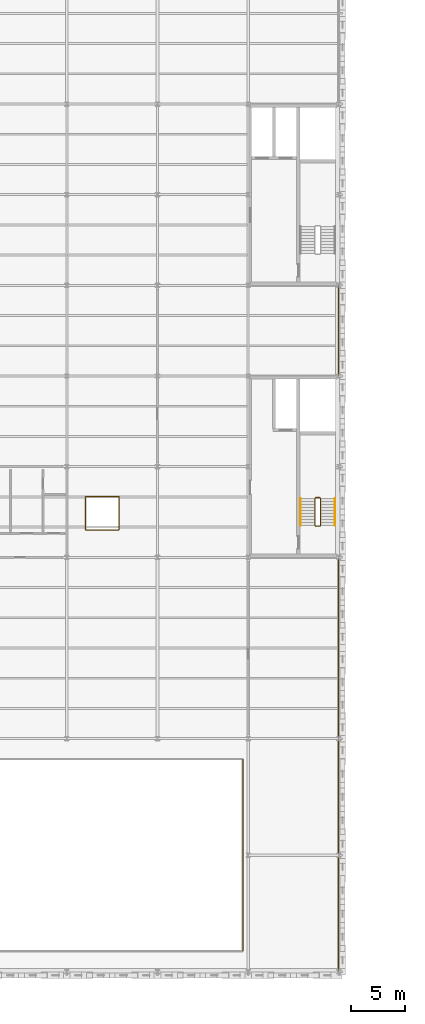
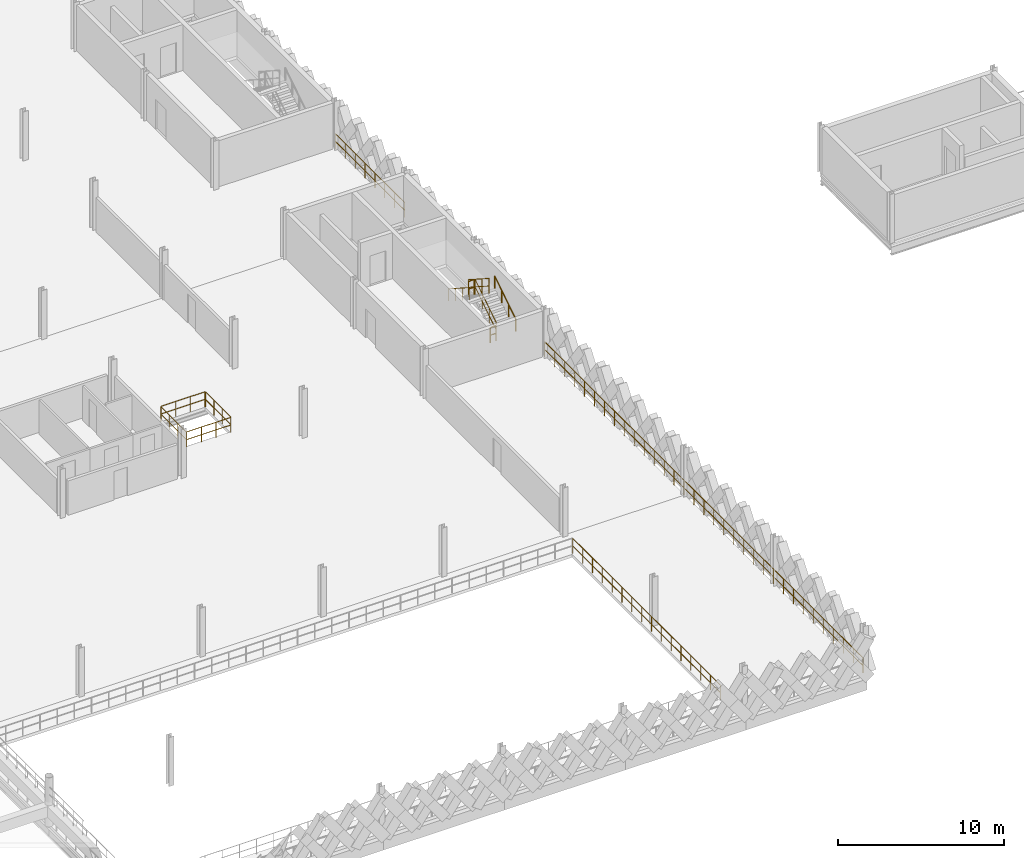
# One storey, part 67 of 74: 13 railings.
"""IFC4 building model written with IfcOpenShell, lengths in metres."""

from ifc_helpers import new_model, si_unit, direction, frame, origin, origin_2d, place, context, subcontext, project, spatial, circle, extrude, material, type_object, element, save


model = new_model("IFC4")

# Units and contexts
model_context = context("Model", 3, precision=1e-05, world=origin(), true_north=direction((0.0, 1.0)))
body_context = subcontext(model_context, "Body", "Model", "MODEL_VIEW")
ifc_project = project(units=[si_unit("LENGTHUNIT", "METRE"), si_unit("AREAUNIT", "SQUARE_METRE"), si_unit("VOLUMEUNIT", "CUBIC_METRE"), si_unit("PLANEANGLEUNIT", "RADIAN"), si_unit("MASSUNIT", "GRAM", prefix="KILO"), si_unit("THERMODYNAMICTEMPERATUREUNIT", "KELVIN"), si_unit("POWERUNIT", "WATT")], contexts=[model_context])

# Site, building, storey
site_placement = place(None, origin())
site = spatial("IfcSite", under=ifc_project, at=site_placement, CompositionType="ELEMENT")
building_placement = place(site_placement, origin())
building = spatial("IfcBuilding", under=site, at=building_placement, Name="Tembeka Court Mobility Hub", CompositionType="ELEMENT")
storey_placement = place(building_placement, frame((0.0, 0.0, 12.60009765625)))
storey = spatial("IfcBuildingStorey", under=building, at=storey_placement, Name="L03", CompositionType="ELEMENT", Elevation=12.60009765625)

# Railings
ifc_material_1 = material(Name="Painted galvanised steel balustrade", Category="steel")
railing_type_1 = type_object("IfcRailingType", Name="RL-GR01", PredefinedType="GUARDRAIL", material=ifc_material_1)
railing_1_placement = place(storey_placement, frame((68.97998046875, 40.949951171875, 0.0)))
element("IfcRailing", 1, at=railing_1_placement, inside=storey, type_object=railing_type_1, Name="Perimeter guard GR01-0107", PredefinedType="GUARDRAIL", context=body_context, shape_type="SweptSolid", body=[
    extrude(circle(Radius=0.02392578125, at=origin_2d()), frame((0.0, 0.0, 1.09619140625), z_axis=(1.0, 0.0, 0.0), x_axis=(0.0, 1.0, 0.0)), (0.0, 0.0, 1.0), 3.0400390625),
    extrude(circle(Radius=0.02392578125, at=origin_2d()), frame((0.0, 0.0, 0.5361328125), z_axis=(1.0, 0.0, 0.0), x_axis=(0.0, 1.0, 0.0)), (0.0, 0.0, 1.0), 3.0400390625),
    extrude(circle(Radius=0.02099609375, at=origin_2d()), origin(), (0.0, 0.0, 1.0), 1.072021484375),
    extrude(circle(Radius=0.02099609375, at=origin_2d()), frame((1.013427734375, 0.0, 0.0)), (0.0, 0.0, 1.0), 1.072021484375),
    extrude(circle(Radius=0.02099609375, at=origin_2d()), frame((2.026611328125, 0.0, 0.0)), (0.0, 0.0, 1.0), 1.072021484375),
    extrude(circle(Radius=0.02099609375, at=origin_2d()), frame((3.0400390625, 0.0, 0.0)), (0.0, 0.0, 1.0), 1.072021484375),
])
railing_2_placement = place(storey_placement, frame((72.050048828125, 40.97998046875, 0.0)))
element("IfcRailing", 2, at=railing_2_placement, inside=storey, type_object=railing_type_1, Name="Perimeter guard GR01-0108", PredefinedType="GUARDRAIL", context=body_context, shape_type="SweptSolid", body=[
    extrude(circle(Radius=0.02392578125, at=origin_2d()), frame((0.0, 0.0, 1.09619140625), z_axis=(0.0, 1.0, 0.0), x_axis=(-1.0, 0.0, 0.0)), (0.0, 0.0, 1.0), 3.0400390625),
    extrude(circle(Radius=0.02392578125, at=origin_2d()), frame((0.0, 0.0, 0.5361328125), z_axis=(0.0, 1.0, 0.0), x_axis=(-1.0, 0.0, 0.0)), (0.0, 0.0, 1.0), 3.0400390625),
    extrude(circle(Radius=0.02099609375, at=origin_2d()), origin(), (0.0, 0.0, 1.0), 1.072021484375),
    extrude(circle(Radius=0.02099609375, at=origin_2d()), frame((0.0, 1.013427734375, 0.0)), (0.0, 0.0, 1.0), 1.072021484375),
    extrude(circle(Radius=0.02099609375, at=origin_2d()), frame((0.0, 2.026611328125, 0.0)), (0.0, 0.0, 1.0), 1.072021484375),
    extrude(circle(Radius=0.02099609375, at=origin_2d()), frame((0.0, 3.0400390625, 0.0)), (0.0, 0.0, 1.0), 1.072021484375),
])
railing_3_placement = place(storey_placement, frame((72.02001953125, 44.050048828125, 0.0)))
element("IfcRailing", 3, at=railing_3_placement, inside=storey, type_object=railing_type_1, Name="Perimeter guard GR01-0109", PredefinedType="GUARDRAIL", context=body_context, shape_type="SweptSolid", body=[
    extrude(circle(Radius=0.02392578125, at=origin_2d()), frame((0.0, 0.0, 1.09619140625), z_axis=(-1.0, 0.0, 0.0), x_axis=(0.0, -1.0, 0.0)), (0.0, 0.0, 1.0), 3.0400390625),
    extrude(circle(Radius=0.02392578125, at=origin_2d()), frame((0.0, 0.0, 0.5361328125), z_axis=(-1.0, 0.0, 0.0), x_axis=(0.0, -1.0, 0.0)), (0.0, 0.0, 1.0), 3.0400390625),
    extrude(circle(Radius=0.02099609375, at=origin_2d()), origin(), (0.0, 0.0, 1.0), 1.072021484375),
    extrude(circle(Radius=0.02099609375, at=origin_2d()), frame((-1.013427734375, 0.0, 0.0)), (0.0, 0.0, 1.0), 1.072021484375),
    extrude(circle(Radius=0.02099609375, at=origin_2d()), frame((-2.026611328125, 0.0, 0.0)), (0.0, 0.0, 1.0), 1.072021484375),
    extrude(circle(Radius=0.02099609375, at=origin_2d()), frame((-3.0400390625, 0.0, 0.0)), (0.0, 0.0, 1.0), 1.072021484375),
])
railing_4_placement = place(storey_placement, frame((68.949951171875, 44.02001953125, 0.0)))
element("IfcRailing", 4, at=railing_4_placement, inside=storey, type_object=railing_type_1, Name="Perimeter guard GR01-0110", PredefinedType="GUARDRAIL", context=body_context, shape_type="SweptSolid", body=[
    extrude(circle(Radius=0.02392578125, at=origin_2d()), frame((0.0, 0.0, 1.09619140625), z_axis=(0.0, -1.0, 0.0), x_axis=(1.0, 0.0, 0.0)), (0.0, 0.0, 1.0), 3.0400390625),
    extrude(circle(Radius=0.02392578125, at=origin_2d()), frame((0.0, 0.0, 0.5361328125), z_axis=(0.0, -1.0, 0.0), x_axis=(1.0, 0.0, 0.0)), (0.0, 0.0, 1.0), 3.0400390625),
    extrude(circle(Radius=0.02099609375, at=origin_2d()), origin(), (0.0, 0.0, 1.0), 1.072021484375),
    extrude(circle(Radius=0.02099609375, at=origin_2d()), frame((0.0, -1.013427734375, 0.0)), (0.0, 0.0, 1.0), 1.072021484375),
    extrude(circle(Radius=0.02099609375, at=origin_2d()), frame((0.0, -2.026611328125, 0.0)), (0.0, 0.0, 1.0), 1.072021484375),
    extrude(circle(Radius=0.02099609375, at=origin_2d()), frame((0.0, -3.0400390625, 0.0)), (0.0, 0.0, 1.0), 1.072021484375),
])
railing_5_placement = place(storey_placement, frame((83.5, 1.929931640625, 0.0)))
element("IfcRailing", 5, at=railing_5_placement, inside=storey, type_object=railing_type_1, Name="Perimeter guard GR01-0112", PredefinedType="GUARDRAIL", context=body_context, shape_type="SweptSolid", body=[
    extrude(circle(Radius=0.02392578125, at=origin_2d()), frame((0.0, 0.0, 1.09619140625), z_axis=(0.0, 1.0, 0.0), x_axis=(-1.0, 0.0, 0.0)), (0.0, 0.0, 1.0), 17.739990234375),
    extrude(circle(Radius=0.02392578125, at=origin_2d()), frame((0.0, 0.0, 0.5361328125), z_axis=(0.0, 1.0, 0.0), x_axis=(-1.0, 0.0, 0.0)), (0.0, 0.0, 1.0), 17.739990234375),
    extrude(circle(Radius=0.02099609375, at=origin_2d()), origin(), (0.0, 0.0, 1.0), 1.072021484375),
    extrude(circle(Radius=0.02099609375, at=origin_2d()), frame((0.0, 1.1826171875, 0.0)), (0.0, 0.0, 1.0), 1.072021484375),
    extrude(circle(Radius=0.02099609375, at=origin_2d()), frame((0.0, 2.365234375, 0.0)), (0.0, 0.0, 1.0), 1.072021484375),
    extrude(circle(Radius=0.02099609375, at=origin_2d()), frame((0.0, 3.548095703125, 0.0)), (0.0, 0.0, 1.0), 1.072021484375),
    extrude(circle(Radius=0.02099609375, at=origin_2d()), frame((0.0, 4.730712890625, 0.0)), (0.0, 0.0, 1.0), 1.072021484375),
    extrude(circle(Radius=0.02099609375, at=origin_2d()), frame((0.0, 5.913330078125, 0.0)), (0.0, 0.0, 1.0), 1.072021484375),
    extrude(circle(Radius=0.02099609375, at=origin_2d()), frame((0.0, 7.095947265625, 0.0)), (0.0, 0.0, 1.0), 1.072021484375),
    extrude(circle(Radius=0.02099609375, at=origin_2d()), frame((0.0, 8.278564453125, 0.0)), (0.0, 0.0, 1.0), 1.072021484375),
    extrude(circle(Radius=0.02099609375, at=origin_2d()), frame((0.0, 9.46142578125, 0.0)), (0.0, 0.0, 1.0), 1.072021484375),
    extrude(circle(Radius=0.02099609375, at=origin_2d()), frame((0.0, 10.64404296875, 0.0)), (0.0, 0.0, 1.0), 1.072021484375),
    extrude(circle(Radius=0.02099609375, at=origin_2d()), frame((0.0, 11.82666015625, 0.0)), (0.0, 0.0, 1.0), 1.072021484375),
    extrude(circle(Radius=0.02099609375, at=origin_2d()), frame((0.0, 13.00927734375, 0.0)), (0.0, 0.0, 1.0), 1.072021484375),
    extrude(circle(Radius=0.02099609375, at=origin_2d()), frame((0.0, 14.19189453125, 0.0)), (0.0, 0.0, 1.0), 1.072021484375),
    extrude(circle(Radius=0.02099609375, at=origin_2d()), frame((0.0, 15.374755859375, 0.0)), (0.0, 0.0, 1.0), 1.072021484375),
    extrude(circle(Radius=0.02099609375, at=origin_2d()), frame((0.0, 16.557373046875, 0.0)), (0.0, 0.0, 1.0), 1.072021484375),
    extrude(circle(Radius=0.02099609375, at=origin_2d()), frame((0.0, 17.739990234375, 0.0)), (0.0, 0.0, 1.0), 1.072021484375),
])
railing_6_placement = place(storey_placement, frame((90.699951171875, 41.35009765625, 0.179931640625)))
element("IfcRailing", 6, at=railing_6_placement, inside=storey, type_object=railing_type_1, Name="L03 ST04 stair guard 1-1", PredefinedType="GUARDRAIL", context=body_context, shape_type="SweptSolid", body=[
    extrude(circle(Radius=0.02392578125, at=origin_2d()), frame((0.0, 0.0, 1.09619140625), z_axis=(0.0, 0.841199657755, 0.540724639528), x_axis=(-1.0, 0.0, 0.0)), (0.0, 0.0, 1.0), 2.995849609375),
    extrude(circle(Radius=0.02392578125, at=origin_2d()), frame((0.0, 0.0, 0.5361328125), z_axis=(0.0, 0.841199657755, 0.540724639528), x_axis=(-1.0, 0.0, 0.0)), (0.0, 0.0, 1.0), 2.995849609375),
    extrude(circle(Radius=0.02099609375, at=origin_2d()), origin(), (0.0, 0.0, 1.0), 1.072021484375),
    extrude(circle(Radius=0.02099609375, at=origin_2d()), frame((0.0, 0.840087890625, 0.5400390625)), (0.0, 0.0, 1.0), 1.072021484375),
    extrude(circle(Radius=0.02099609375, at=origin_2d()), frame((0.0, 1.679931640625, 1.079833984375)), (0.0, 0.0, 1.0), 1.072021484375),
    extrude(circle(Radius=0.02099609375, at=origin_2d()), frame((0.0, 2.52001953125, 1.619873046875)), (0.0, 0.0, 1.0), 1.072021484375),
])
railing_7_placement = place(storey_placement, frame((90.64990234375, 43.919921875, 1.7998046875)))
element("IfcRailing", 7, at=railing_7_placement, inside=storey, type_object=railing_type_1, Name="L03 ST04 stair guard 2-1", PredefinedType="GUARDRAIL", context=body_context, shape_type="SweptSolid", body=[
    extrude(circle(Radius=0.02392578125, at=origin_2d()), frame((0.0, 0.0, 1.09619140625), z_axis=(-1.0, 0.0, 0.0), x_axis=(0.0, -1.0, 0.0)), (0.0, 0.0, 1.0), 0.39990234375),
    extrude(circle(Radius=0.02392578125, at=origin_2d()), frame((0.0, 0.0, 0.5361328125), z_axis=(-1.0, 0.0, 0.0), x_axis=(0.0, -1.0, 0.0)), (0.0, 0.0, 1.0), 0.39990234375),
    extrude(circle(Radius=0.02099609375, at=origin_2d()), origin(), (0.0, 0.0, 1.0), 1.072021484375),
    extrude(circle(Radius=0.02099609375, at=origin_2d()), frame((-0.39990234375, 0.0, 0.0)), (0.0, 0.0, 1.0), 1.072021484375),
])
railing_8_placement = place(storey_placement, frame((90.199951171875, 43.8701171875, 1.97998046875)))
element("IfcRailing", 8, at=railing_8_placement, inside=storey, type_object=railing_type_1, Name="L03 ST04 stair guard 3-1", PredefinedType="GUARDRAIL", context=body_context, shape_type="SweptSolid", body=[
    extrude(circle(Radius=0.02392578125, at=origin_2d()), frame((0.0, 0.0, 1.09619140625), z_axis=(0.0, -0.841199657755, 0.540724639528), x_axis=(1.0, 0.0, 0.0)), (0.0, 0.0, 1.0), 2.995849609375),
    extrude(circle(Radius=0.02392578125, at=origin_2d()), frame((0.0, 0.0, 0.5361328125), z_axis=(0.0, -0.841199657755, 0.540724639528), x_axis=(1.0, 0.0, 0.0)), (0.0, 0.0, 1.0), 2.995849609375),
    extrude(circle(Radius=0.02099609375, at=origin_2d()), origin(), (0.0, 0.0, 1.0), 1.072021484375),
    extrude(circle(Radius=0.02099609375, at=origin_2d()), frame((0.0, -0.840087890625, 0.5400390625)), (0.0, 0.0, 1.0), 1.072021484375),
    extrude(circle(Radius=0.02099609375, at=origin_2d()), frame((0.0, -1.679931640625, 1.079833984375)), (0.0, 0.0, 1.0), 1.072021484375),
    extrude(circle(Radius=0.02099609375, at=origin_2d()), frame((0.0, -2.52001953125, 1.619873046875)), (0.0, 0.0, 1.0), 1.072021484375),
])
railing_9_placement = place(storey_placement, frame((90.64990234375, 41.300048828125, 0.0)))
element("IfcRailing", 9, at=railing_9_placement, inside=storey, type_object=railing_type_1, Name="L03 ST04 stair guard 4-1", PredefinedType="GUARDRAIL", context=body_context, shape_type="SweptSolid", body=[
    extrude(circle(Radius=0.02392578125, at=origin_2d()), frame((0.0, 0.0, 1.09619140625), z_axis=(-1.0, 0.0, 0.0), x_axis=(0.0, -1.0, 0.0)), (0.0, 0.0, 1.0), 0.39990234375),
    extrude(circle(Radius=0.02392578125, at=origin_2d()), frame((0.0, 0.0, 0.5361328125), z_axis=(-1.0, 0.0, 0.0), x_axis=(0.0, -1.0, 0.0)), (0.0, 0.0, 1.0), 0.39990234375),
    extrude(circle(Radius=0.02099609375, at=origin_2d()), origin(), (0.0, 0.0, 1.0), 1.072021484375),
    extrude(circle(Radius=0.02099609375, at=origin_2d()), frame((-0.39990234375, 0.0, 0.0)), (0.0, 0.0, 1.0), 1.072021484375),
])
railing_type_2 = type_object("IfcRailingType", Name="RL-GR02", PredefinedType="GUARDRAIL", material=ifc_material_1)
railing_10_placement = place(storey_placement, frame((92.35009765625, 0.080078125, 0.0)))
element("IfcRailing", 10, at=railing_10_placement, inside=storey, type_object=railing_type_2, Name="Perimeter guard GR02-0124", PredefinedType="GUARDRAIL", context=body_context, shape_type="SweptSolid", body=[
    extrude(circle(Radius=0.02392578125, at=origin_2d()), frame((0.0, 0.0, 1.09619140625), z_axis=(0.0, 1.0, 0.0), x_axis=(-1.0, 0.0, 0.0)), (0.0, 0.0, 1.0), 38.2900390625),
    extrude(circle(Radius=0.02392578125, at=origin_2d()), frame((0.0, 0.0, 0.5361328125), z_axis=(0.0, 1.0, 0.0), x_axis=(-1.0, 0.0, 0.0)), (0.0, 0.0, 1.0), 38.2900390625),
    extrude(circle(Radius=0.02099609375, at=origin_2d()), origin(), (0.0, 0.0, 1.0), 1.072021484375),
    extrude(circle(Radius=0.02099609375, at=origin_2d()), frame((0.0, 1.196533203125, 0.0)), (0.0, 0.0, 1.0), 1.072021484375),
    extrude(circle(Radius=0.02099609375, at=origin_2d()), frame((0.0, 2.39306640625, 0.0)), (0.0, 0.0, 1.0), 1.072021484375),
    extrude(circle(Radius=0.02099609375, at=origin_2d()), frame((0.0, 3.589599609375, 0.0)), (0.0, 0.0, 1.0), 1.072021484375),
    extrude(circle(Radius=0.02099609375, at=origin_2d()), frame((0.0, 4.7861328125, 0.0)), (0.0, 0.0, 1.0), 1.072021484375),
    extrude(circle(Radius=0.02099609375, at=origin_2d()), frame((0.0, 5.98291015625, 0.0)), (0.0, 0.0, 1.0), 1.072021484375),
    extrude(circle(Radius=0.02099609375, at=origin_2d()), frame((0.0, 7.179443359375, 0.0)), (0.0, 0.0, 1.0), 1.072021484375),
    extrude(circle(Radius=0.02099609375, at=origin_2d()), frame((0.0, 8.3759765625, 0.0)), (0.0, 0.0, 1.0), 1.072021484375),
    extrude(circle(Radius=0.02099609375, at=origin_2d()), frame((0.0, 9.572509765625, 0.0)), (0.0, 0.0, 1.0), 1.072021484375),
    extrude(circle(Radius=0.02099609375, at=origin_2d()), frame((0.0, 10.76904296875, 0.0)), (0.0, 0.0, 1.0), 1.072021484375),
    extrude(circle(Radius=0.02099609375, at=origin_2d()), frame((0.0, 11.965576171875, 0.0)), (0.0, 0.0, 1.0), 1.072021484375),
    extrude(circle(Radius=0.02099609375, at=origin_2d()), frame((0.0, 13.162109375, 0.0)), (0.0, 0.0, 1.0), 1.072021484375),
    extrude(circle(Radius=0.02099609375, at=origin_2d()), frame((0.0, 14.35888671875, 0.0)), (0.0, 0.0, 1.0), 1.072021484375),
    extrude(circle(Radius=0.02099609375, at=origin_2d()), frame((0.0, 15.555419921875, 0.0)), (0.0, 0.0, 1.0), 1.072021484375),
    extrude(circle(Radius=0.02099609375, at=origin_2d()), frame((0.0, 16.751953125, 0.0)), (0.0, 0.0, 1.0), 1.072021484375),
    extrude(circle(Radius=0.02099609375, at=origin_2d()), frame((0.0, 17.948486328125, 0.0)), (0.0, 0.0, 1.0), 1.072021484375),
    extrude(circle(Radius=0.02099609375, at=origin_2d()), frame((0.0, 19.14501953125, 0.0)), (0.0, 0.0, 1.0), 1.072021484375),
    extrude(circle(Radius=0.02099609375, at=origin_2d()), frame((0.0, 20.341552734375, 0.0)), (0.0, 0.0, 1.0), 1.072021484375),
    extrude(circle(Radius=0.02099609375, at=origin_2d()), frame((0.0, 21.5380859375, 0.0)), (0.0, 0.0, 1.0), 1.072021484375),
    extrude(circle(Radius=0.02099609375, at=origin_2d()), frame((0.0, 22.734619140625, 0.0)), (0.0, 0.0, 1.0), 1.072021484375),
    extrude(circle(Radius=0.02099609375, at=origin_2d()), frame((0.0, 23.93115234375, 0.0)), (0.0, 0.0, 1.0), 1.072021484375),
    extrude(circle(Radius=0.02099609375, at=origin_2d()), frame((0.0, 25.1279296875, 0.0)), (0.0, 0.0, 1.0), 1.072021484375),
    extrude(circle(Radius=0.02099609375, at=origin_2d()), frame((0.0, 26.324462890625, 0.0)), (0.0, 0.0, 1.0), 1.072021484375),
    extrude(circle(Radius=0.02099609375, at=origin_2d()), frame((0.0, 27.52099609375, 0.0)), (0.0, 0.0, 1.0), 1.072021484375),
    extrude(circle(Radius=0.02099609375, at=origin_2d()), frame((0.0, 28.717529296875, 0.0)), (0.0, 0.0, 1.0), 1.072021484375),
    extrude(circle(Radius=0.02099609375, at=origin_2d()), frame((0.0, 29.9140625, 0.0)), (0.0, 0.0, 1.0), 1.072021484375),
    extrude(circle(Radius=0.02099609375, at=origin_2d()), frame((0.0, 31.110595703125, 0.0)), (0.0, 0.0, 1.0), 1.072021484375),
    extrude(circle(Radius=0.02099609375, at=origin_2d()), frame((0.0, 32.30712890625, 0.0)), (0.0, 0.0, 1.0), 1.072021484375),
    extrude(circle(Radius=0.02099609375, at=origin_2d()), frame((0.0, 33.50390625, 0.0)), (0.0, 0.0, 1.0), 1.072021484375),
    extrude(circle(Radius=0.02099609375, at=origin_2d()), frame((0.0, 34.700439453125, 0.0)), (0.0, 0.0, 1.0), 1.072021484375),
    extrude(circle(Radius=0.02099609375, at=origin_2d()), frame((0.0, 35.89697265625, 0.0)), (0.0, 0.0, 1.0), 1.072021484375),
    extrude(circle(Radius=0.02099609375, at=origin_2d()), frame((0.0, 37.093505859375, 0.0)), (0.0, 0.0, 1.0), 1.072021484375),
    extrude(circle(Radius=0.02099609375, at=origin_2d()), frame((0.0, 38.2900390625, 0.0)), (0.0, 0.0, 1.0), 1.072021484375),
])
railing_11_placement = place(storey_placement, frame((92.35009765625, 55.22998046875, 0.0)))
element("IfcRailing", 11, at=railing_11_placement, inside=storey, type_object=railing_type_2, Name="Perimeter guard GR02-0125", PredefinedType="GUARDRAIL", context=body_context, shape_type="SweptSolid", body=[
    extrude(circle(Radius=0.02392578125, at=origin_2d()), frame((0.0, 0.0, 1.09619140625), z_axis=(0.0, 1.0, 0.0), x_axis=(-1.0, 0.0, 0.0)), (0.0, 0.0, 1.0), 8.340087890625),
    extrude(circle(Radius=0.02392578125, at=origin_2d()), frame((0.0, 0.0, 0.5361328125), z_axis=(0.0, 1.0, 0.0), x_axis=(-1.0, 0.0, 0.0)), (0.0, 0.0, 1.0), 8.340087890625),
    extrude(circle(Radius=0.02099609375, at=origin_2d()), origin(), (0.0, 0.0, 1.0), 1.072021484375),
    extrude(circle(Radius=0.02099609375, at=origin_2d()), frame((0.0, 1.19140625, 0.0)), (0.0, 0.0, 1.0), 1.072021484375),
    extrude(circle(Radius=0.02099609375, at=origin_2d()), frame((0.0, 2.3828125, 0.0)), (0.0, 0.0, 1.0), 1.072021484375),
    extrude(circle(Radius=0.02099609375, at=origin_2d()), frame((0.0, 3.57421875, 0.0)), (0.0, 0.0, 1.0), 1.072021484375),
    extrude(circle(Radius=0.02099609375, at=origin_2d()), frame((0.0, 4.765869140625, 0.0)), (0.0, 0.0, 1.0), 1.072021484375),
    extrude(circle(Radius=0.02099609375, at=origin_2d()), frame((0.0, 5.957275390625, 0.0)), (0.0, 0.0, 1.0), 1.072021484375),
    extrude(circle(Radius=0.02099609375, at=origin_2d()), frame((0.0, 7.148681640625, 0.0)), (0.0, 0.0, 1.0), 1.072021484375),
    extrude(circle(Radius=0.02099609375, at=origin_2d()), frame((0.0, 8.340087890625, 0.0)), (0.0, 0.0, 1.0), 1.072021484375),
])
ifc_material_2 = material(Name="Brushed stainless steel handrail", Category="steel")
railing_type_3 = type_object("IfcRailingType", Name="RL-HR01", PredefinedType="HANDRAIL", material=ifc_material_2)
railing_12_placement = place(storey_placement, frame((92.050048828125, 41.35009765625, 0.179931640625)))
element("IfcRailing", 12, at=railing_12_placement, inside=storey, type_object=railing_type_3, Name="L03 ST04 handrail 1-1", PredefinedType="HANDRAIL", context=body_context, shape_type="SweptSolid", body=[
    extrude(circle(Radius=0.02392578125, at=origin_2d()), frame((0.0, 0.0, 0.89599609375), z_axis=(0.0, 0.841199657755, 0.540724639528), x_axis=(-1.0, 0.0, 0.0)), (0.0, 0.0, 1.0), 2.995849609375),
    extrude(circle(Radius=0.02099609375, at=origin_2d()), origin(), (0.0, 0.0, 1.0), 0.871826171875),
    extrude(circle(Radius=0.02099609375, at=origin_2d()), frame((0.0, 0.840087890625, 0.5400390625)), (0.0, 0.0, 1.0), 0.871826171875),
    extrude(circle(Radius=0.02099609375, at=origin_2d()), frame((0.0, 1.679931640625, 1.079833984375)), (0.0, 0.0, 1.0), 0.871826171875),
    extrude(circle(Radius=0.02099609375, at=origin_2d()), frame((0.0, 2.52001953125, 1.619873046875)), (0.0, 0.0, 1.0), 0.871826171875),
])
railing_13_placement = place(storey_placement, frame((88.85009765625, 43.8701171875, 1.97998046875)))
element("IfcRailing", 13, at=railing_13_placement, inside=storey, type_object=railing_type_3, Name="L03 ST04 handrail 2-1", PredefinedType="HANDRAIL", context=body_context, shape_type="SweptSolid", body=[
    extrude(circle(Radius=0.02392578125, at=origin_2d()), frame((0.0, 0.0, 0.89599609375), z_axis=(0.0, -0.841199657755, 0.540724639528), x_axis=(1.0, 0.0, 0.0)), (0.0, 0.0, 1.0), 2.995849609375),
    extrude(circle(Radius=0.02099609375, at=origin_2d()), origin(), (0.0, 0.0, 1.0), 0.871826171875),
    extrude(circle(Radius=0.02099609375, at=origin_2d()), frame((0.0, -0.840087890625, 0.5400390625)), (0.0, 0.0, 1.0), 0.871826171875),
    extrude(circle(Radius=0.02099609375, at=origin_2d()), frame((0.0, -1.679931640625, 1.079833984375)), (0.0, 0.0, 1.0), 0.871826171875),
    extrude(circle(Radius=0.02099609375, at=origin_2d()), frame((0.0, -2.52001953125, 1.619873046875)), (0.0, 0.0, 1.0), 0.871826171875),
])

save(model, "model.ifc")
